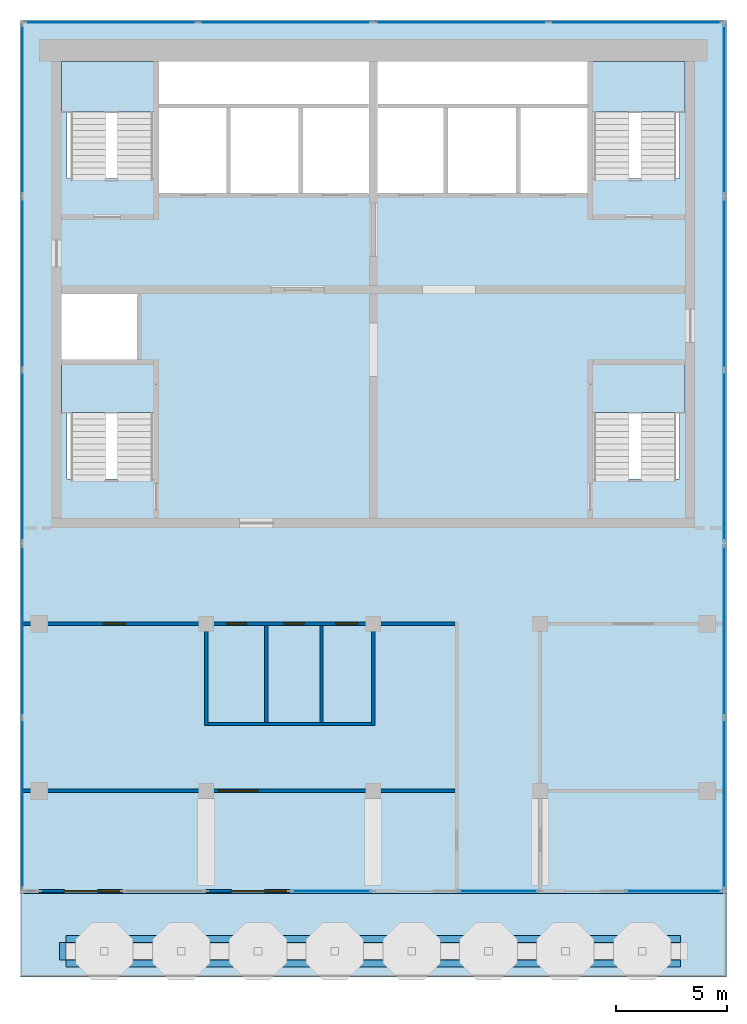
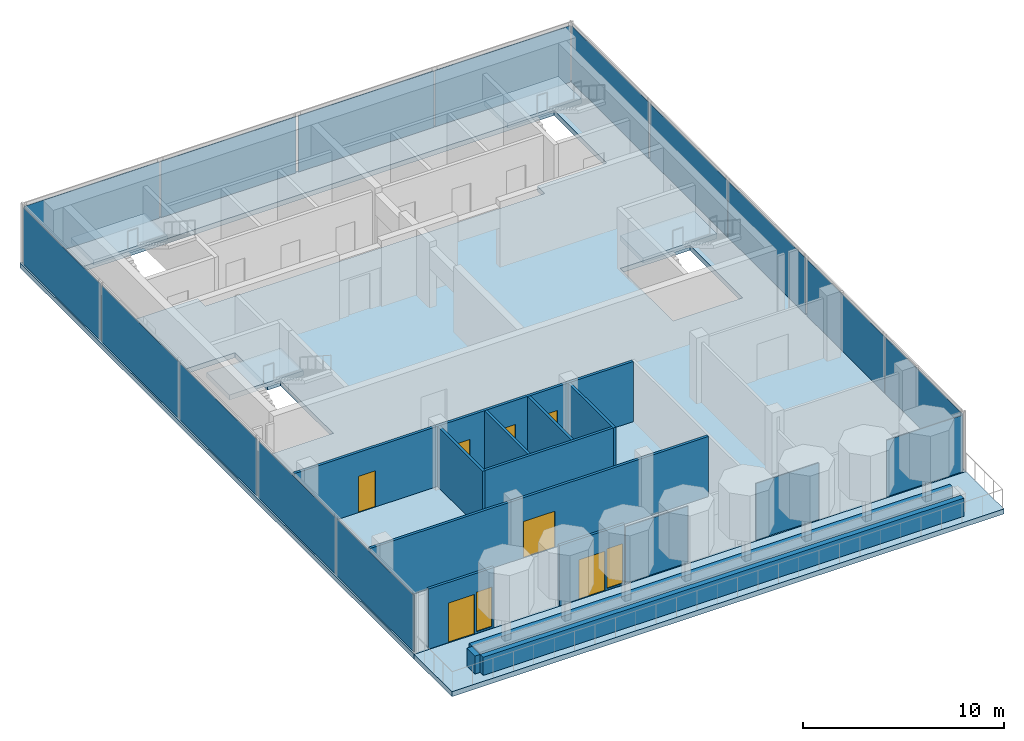
# One storey, part 2 of 6: 17 plates, 12 walls, 7 doors, 6 slabs, 2 windows, 9 openings, 15 elements without a shape of their own.
"""IFC4 building model written with IfcOpenShell, lengths in metres."""

from ifc_helpers import new_model, si_unit, direction, frame, frame_2d, origin, origin_2d, place, context, subcontext, project, spatial, polyline, rectangle, outline, extrude, material, layer, layer_set, type_object, element, fill, aggregate, save


model = new_model("IFC4")

# Units and contexts
model_context = context("Model", 3, precision=1e-05, world=origin(), true_north=direction((0.0, 1.0)))
body_context = subcontext(model_context, "Body", "Model", "MODEL_VIEW")
ifc_project = project(units=[si_unit("LENGTHUNIT", "METRE"), si_unit("AREAUNIT", "SQUARE_METRE"), si_unit("VOLUMEUNIT", "CUBIC_METRE"), si_unit("PLANEANGLEUNIT", "RADIAN"), si_unit("MASSUNIT", "GRAM", prefix="KILO")], contexts=[model_context])

# Site, building, storey
site_placement = place(None, origin())
site = spatial("IfcSite", under=ifc_project, at=site_placement, CompositionType="ELEMENT")
building_placement = place(site_placement, origin())
building = spatial("IfcBuilding", under=site, at=building_placement, Name="Pilkhan Gate Tower", CompositionType="ELEMENT")
storey_placement = place(building_placement, frame((0.0, 0.0, 283.699951171875)))
storey = spatial("IfcBuildingStorey", under=building, at=storey_placement, Name="L74", CompositionType="ELEMENT", Elevation=283.699951171875)

# Slab
ifc_material_1 = material(Name="Concrete C40/50", Category="concrete")
ifc_layer_1 = layer(ifc_material_1, 0.300048828125)
ifc_layer_set_1 = layer_set([ifc_layer_1], Name="Flat plate slab FP300")
slab_type_1 = type_object("IfcSlabType", Name="Flat plate slab FP300", PredefinedType="FLOOR", material=ifc_layer_set_1)
slab_1_placement = place(storey_placement, frame((0.0, 0.0, -0.300048828125)))
element("IfcSlab", 1, at=slab_1_placement, inside=storey, type_object=slab_type_1, Name="Floor slab L74", PredefinedType="FLOOR", context=body_context, shape_type="SweptSolid", body=[
    extrude(outline(polyline([(59.14990234375, 94.60009765625), (90.85009765625, 94.60009765625), (90.85009765625, 55.39990234375), (59.14990234375, 55.39990234375), (59.14990234375, 94.60009765625)]), holes=[polyline([(78.25, 86.75), (81.5, 86.75), (84.75, 86.75), (84.75, 87.5), (88.75, 87.5), (88.75, 92.75), (84.75, 92.75), (75.0, 92.75), (65.25, 92.75), (61.25, 92.75), (61.25, 87.5), (65.25, 87.5), (65.25, 86.75), (68.5, 86.75), (71.75, 86.75), (75.0, 86.75), (78.25, 86.75)]), polyline([(84.75, 79.25), (84.75, 74.0), (88.75, 74.0), (88.75, 79.25), (84.75, 79.25)]), polyline([(65.25, 79.25), (64.5, 79.25), (64.5, 82.5), (61.25, 82.5), (61.0, 82.5), (61.0, 79.25), (61.25, 79.25), (61.25, 74.0), (65.25, 74.0), (65.25, 79.25)])]), origin(), (0.0, 0.0, 1.0), 0.300048828125),
])

# Curtain wall, plates
ifc_material_2 = material(Name="Pale anodised aluminium, clear low-iron double glazing", Category="aluminium")
curtain_wall_type = type_object("IfcCurtainWallType", Name="Crown unitised curtain wall CW-C", PredefinedType="USERDEFINED", material=ifc_material_2)
curtain_wall_1_placement = place(storey_placement, origin())
curtain_wall_1 = element("IfcCurtainWall", 2, at=curtain_wall_1_placement, inside=storey, type_object=curtain_wall_type, Name="Crown unitised curtain wall CW-C L74 E", ObjectType="UNITISED CURTAIN WALL", PredefinedType="USERDEFINED")
ifc_material_3 = material(Name="Clear low-iron double glazing", Category="glass")
ifc_layer_2 = layer(ifc_material_3, 0.0439453125)
ifc_layer_set_2 = layer_set([ifc_layer_2], Name="Glass panel CW-C 44")
plate_type = type_object("IfcPlateType", Name="Glass panel CW-C 44", PredefinedType="CURTAIN_PANEL", material=ifc_layer_set_2)
plate_1_placement = place(storey_placement, frame((90.75, 59.418701171875, 0.0), z_axis=(0.0, 0.0, 1.0), x_axis=(0.0, 1.0, 0.0)))
plate_1 = element("IfcPlate", 3, at=plate_1_placement, type_object=plate_type, Name="CW-C panel 1", PredefinedType="CURTAIN_PANEL", context=body_context, shape_type="SweptSolid", body=[
    extrude(rectangle(XDim=7.6875, YDim=0.0439453125, at=origin_2d()), origin(), (0.0, 0.0, 1.0), 3.429931640625),
])
plate_2_placement = place(storey_placement, frame((90.75, 67.18115234375, 0.0), z_axis=(0.0, 0.0, 1.0), x_axis=(0.0, 1.0, 0.0)))
plate_2 = element("IfcPlate", 4, at=plate_2_placement, type_object=plate_type, Name="CW-C panel 2", PredefinedType="CURTAIN_PANEL", context=body_context, shape_type="SweptSolid", body=[
    extrude(rectangle(XDim=7.6875, YDim=0.0439453125, at=origin_2d()), origin(), (0.0, 0.0, 1.0), 3.429931640625),
])
aggregate(curtain_wall_1, [plate_1, plate_2])

curtain_wall_2_placement = place(storey_placement, origin())
curtain_wall_2 = element("IfcCurtainWall", 5, at=curtain_wall_2_placement, inside=storey, type_object=curtain_wall_type, Name="Crown unitised curtain wall CW-C L74 E", ObjectType="UNITISED CURTAIN WALL", PredefinedType="USERDEFINED")
plate_3_placement = place(storey_placement, frame((90.75, 75.018798828125, 0.0), z_axis=(0.0, 0.0, 1.0), x_axis=(0.0, 1.0, 0.0)))
plate_3 = element("IfcPlate", 6, at=plate_3_placement, type_object=plate_type, Name="CW-C panel 1", PredefinedType="CURTAIN_PANEL", context=body_context, shape_type="SweptSolid", body=[
    extrude(rectangle(XDim=7.6875, YDim=0.0439453125, at=origin_2d()), origin(), (0.0, 0.0, 1.0), 3.429931640625),
])
plate_4_placement = place(storey_placement, frame((90.75, 82.78125, 0.0), z_axis=(0.0, 0.0, 1.0), x_axis=(0.0, 1.0, 0.0)))
plate_4 = element("IfcPlate", 7, at=plate_4_placement, type_object=plate_type, Name="CW-C panel 2", PredefinedType="CURTAIN_PANEL", context=body_context, shape_type="SweptSolid", body=[
    extrude(rectangle(XDim=7.6875, YDim=0.0439453125, at=origin_2d()), origin(), (0.0, 0.0, 1.0), 3.429931640625),
])
aggregate(curtain_wall_2, [plate_3, plate_4])

# Curtain wall, plate
curtain_wall_3_placement = place(storey_placement, origin())
curtain_wall_3 = element("IfcCurtainWall", 8, at=curtain_wall_3_placement, inside=storey, type_object=curtain_wall_type, Name="Crown unitised curtain wall CW-C L74 E", ObjectType="UNITISED CURTAIN WALL", PredefinedType="USERDEFINED")
plate_5_placement = place(storey_placement, frame((90.75, 90.60009765625, 0.0), z_axis=(0.0, 0.0, 1.0), x_axis=(0.0, 1.0, 0.0)))
plate_5 = element("IfcPlate", 9, at=plate_5_placement, type_object=plate_type, Name="CW-C panel 1", PredefinedType="CURTAIN_PANEL", context=body_context, shape_type="SweptSolid", body=[
    extrude(rectangle(XDim=7.64990234375, YDim=0.0439453125, at=origin_2d()), origin(), (0.0, 0.0, 1.0), 3.429931640625),
])
aggregate(curtain_wall_3, [plate_5])

# Curtain wall, plates
curtain_wall_4_placement = place(storey_placement, origin())
curtain_wall_4 = element("IfcCurtainWall", 10, at=curtain_wall_4_placement, inside=storey, type_object=curtain_wall_type, Name="Crown unitised curtain wall CW-C L74 N", ObjectType="UNITISED CURTAIN WALL", PredefinedType="USERDEFINED")
plate_6_placement = place(storey_placement, frame((63.206298828125, 94.5, 0.0), z_axis=(0.0, 0.0, 1.0), x_axis=(1.0, 0.0, 0.0)))
plate_6 = element("IfcPlate", 11, at=plate_6_placement, type_object=plate_type, Name="CW-C panel 1", PredefinedType="CURTAIN_PANEL", context=body_context, shape_type="SweptSolid", body=[
    extrude(rectangle(XDim=7.762451171875, YDim=0.0439453125, at=origin_2d()), origin(), (0.0, 0.0, 1.0), 3.429931640625),
])
plate_7_placement = place(storey_placement, frame((71.043701171875, 94.5, 0.0), z_axis=(0.0, 0.0, 1.0), x_axis=(1.0, 0.0, 0.0)))
plate_7 = element("IfcPlate", 12, at=plate_7_placement, type_object=plate_type, Name="CW-C panel 2", PredefinedType="CURTAIN_PANEL", context=body_context, shape_type="SweptSolid", body=[
    extrude(rectangle(XDim=7.762451171875, YDim=0.0439453125, at=origin_2d()), origin(), (0.0, 0.0, 1.0), 3.429931640625),
])
aggregate(curtain_wall_4, [plate_6, plate_7])

curtain_wall_5_placement = place(storey_placement, origin())
curtain_wall_5 = element("IfcCurtainWall", 13, at=curtain_wall_5_placement, inside=storey, type_object=curtain_wall_type, Name="Crown unitised curtain wall CW-C L74 N", ObjectType="UNITISED CURTAIN WALL", PredefinedType="USERDEFINED")
plate_8_placement = place(storey_placement, frame((78.956298828125, 94.5, 0.0), z_axis=(0.0, 0.0, 1.0), x_axis=(1.0, 0.0, 0.0)))
plate_8 = element("IfcPlate", 14, at=plate_8_placement, type_object=plate_type, Name="CW-C panel 1", PredefinedType="CURTAIN_PANEL", context=body_context, shape_type="SweptSolid", body=[
    extrude(rectangle(XDim=7.762451171875, YDim=0.0439453125, at=origin_2d()), origin(), (0.0, 0.0, 1.0), 3.429931640625),
])
plate_9_placement = place(storey_placement, frame((86.793701171875, 94.5, 0.0), z_axis=(0.0, 0.0, 1.0), x_axis=(1.0, 0.0, 0.0)))
plate_9 = element("IfcPlate", 15, at=plate_9_placement, type_object=plate_type, Name="CW-C panel 2", PredefinedType="CURTAIN_PANEL", context=body_context, shape_type="SweptSolid", body=[
    extrude(rectangle(XDim=7.762451171875, YDim=0.0439453125, at=origin_2d()), origin(), (0.0, 0.0, 1.0), 3.429931640625),
])
aggregate(curtain_wall_5, [plate_8, plate_9])

curtain_wall_6_placement = place(storey_placement, origin())
curtain_wall_6 = element("IfcCurtainWall", 16, at=curtain_wall_6_placement, inside=storey, type_object=curtain_wall_type, Name="Crown unitised curtain wall CW-C L74 W", ObjectType="UNITISED CURTAIN WALL", PredefinedType="USERDEFINED")
plate_10_placement = place(storey_placement, frame((59.25, 59.418701171875, 0.0), z_axis=(0.0, 0.0, 1.0), x_axis=(0.0, 1.0, 0.0)))
plate_10 = element("IfcPlate", 17, at=plate_10_placement, type_object=plate_type, Name="CW-C panel 1", PredefinedType="CURTAIN_PANEL", context=body_context, shape_type="SweptSolid", body=[
    extrude(rectangle(XDim=7.6875, YDim=0.0439453125, at=origin_2d()), origin(), (0.0, 0.0, 1.0), 3.429931640625),
])
plate_11_placement = place(storey_placement, frame((59.25, 67.18115234375, 0.0), z_axis=(0.0, 0.0, 1.0), x_axis=(0.0, 1.0, 0.0)))
plate_11 = element("IfcPlate", 18, at=plate_11_placement, type_object=plate_type, Name="CW-C panel 2", PredefinedType="CURTAIN_PANEL", context=body_context, shape_type="SweptSolid", body=[
    extrude(rectangle(XDim=7.6875, YDim=0.0439453125, at=origin_2d()), origin(), (0.0, 0.0, 1.0), 3.429931640625),
])
aggregate(curtain_wall_6, [plate_10, plate_11])

curtain_wall_7_placement = place(storey_placement, origin())
curtain_wall_7 = element("IfcCurtainWall", 19, at=curtain_wall_7_placement, inside=storey, type_object=curtain_wall_type, Name="Crown unitised curtain wall CW-C L74 W", ObjectType="UNITISED CURTAIN WALL", PredefinedType="USERDEFINED")
plate_12_placement = place(storey_placement, frame((59.25, 75.018798828125, 0.0), z_axis=(0.0, 0.0, 1.0), x_axis=(0.0, 1.0, 0.0)))
plate_12 = element("IfcPlate", 20, at=plate_12_placement, type_object=plate_type, Name="CW-C panel 1", PredefinedType="CURTAIN_PANEL", context=body_context, shape_type="SweptSolid", body=[
    extrude(rectangle(XDim=7.6875, YDim=0.0439453125, at=origin_2d()), origin(), (0.0, 0.0, 1.0), 3.429931640625),
])
plate_13_placement = place(storey_placement, frame((59.25, 82.78125, 0.0), z_axis=(0.0, 0.0, 1.0), x_axis=(0.0, 1.0, 0.0)))
plate_13 = element("IfcPlate", 21, at=plate_13_placement, type_object=plate_type, Name="CW-C panel 2", PredefinedType="CURTAIN_PANEL", context=body_context, shape_type="SweptSolid", body=[
    extrude(rectangle(XDim=7.6875, YDim=0.0439453125, at=origin_2d()), origin(), (0.0, 0.0, 1.0), 3.429931640625),
])
aggregate(curtain_wall_7, [plate_12, plate_13])

# Curtain wall, plate
curtain_wall_8_placement = place(storey_placement, origin())
curtain_wall_8 = element("IfcCurtainWall", 22, at=curtain_wall_8_placement, inside=storey, type_object=curtain_wall_type, Name="Crown unitised curtain wall CW-C L74 W", ObjectType="UNITISED CURTAIN WALL", PredefinedType="USERDEFINED")
plate_14_placement = place(storey_placement, frame((59.25, 90.60009765625, 0.0), z_axis=(0.0, 0.0, 1.0), x_axis=(0.0, 1.0, 0.0)))
plate_14 = element("IfcPlate", 23, at=plate_14_placement, type_object=plate_type, Name="CW-C panel 1", PredefinedType="CURTAIN_PANEL", context=body_context, shape_type="SweptSolid", body=[
    extrude(rectangle(XDim=7.64990234375, YDim=0.0439453125, at=origin_2d()), origin(), (0.0, 0.0, 1.0), 3.429931640625),
])
aggregate(curtain_wall_8, [plate_14])

curtain_wall_9_placement = place(storey_placement, origin())
curtain_wall_9 = element("IfcCurtainWall", 24, at=curtain_wall_9_placement, inside=storey, type_object=curtain_wall_type, Name="Crown unitised curtain wall CW-C L74 S", ObjectType="UNITISED CURTAIN WALL", PredefinedType="USERDEFINED")
plate_15_placement = place(storey_placement, frame((73.125, 55.5, 0.0), z_axis=(0.0, 0.0, 1.0), x_axis=(1.0, 0.0, 0.0)))
plate_15 = element("IfcPlate", 25, at=plate_15_placement, type_object=plate_type, Name="CW-C panel 1", PredefinedType="CURTAIN_PANEL", context=body_context, shape_type="SweptSolid", body=[
    extrude(rectangle(XDim=3.60009765625, YDim=0.0439453125, at=origin_2d()), origin(), (0.0, 0.0, 1.0), 3.429931640625),
])
aggregate(curtain_wall_9, [plate_15])

curtain_wall_10_placement = place(storey_placement, origin())
curtain_wall_10 = element("IfcCurtainWall", 26, at=curtain_wall_10_placement, inside=storey, type_object=curtain_wall_type, Name="Crown unitised curtain wall CW-C L74 S", ObjectType="UNITISED CURTAIN WALL", PredefinedType="USERDEFINED")
plate_16_placement = place(storey_placement, frame((80.625, 55.5, 0.0), z_axis=(0.0, 0.0, 1.0), x_axis=(1.0, 0.0, 0.0)))
plate_16 = element("IfcPlate", 27, at=plate_16_placement, type_object=plate_type, Name="CW-C panel 1", PredefinedType="CURTAIN_PANEL", context=body_context, shape_type="SweptSolid", body=[
    extrude(rectangle(XDim=3.60009765625, YDim=0.0439453125, at=origin_2d()), origin(), (0.0, 0.0, 1.0), 3.429931640625),
])
aggregate(curtain_wall_10, [plate_16])

curtain_wall_11_placement = place(storey_placement, origin())
curtain_wall_11 = element("IfcCurtainWall", 28, at=curtain_wall_11_placement, inside=storey, type_object=curtain_wall_type, Name="Crown unitised curtain wall CW-C L74 S", ObjectType="UNITISED CURTAIN WALL", PredefinedType="USERDEFINED")
plate_17_placement = place(storey_placement, frame((88.5, 55.5, 0.0), z_axis=(0.0, 0.0, 1.0), x_axis=(1.0, 0.0, 0.0)))
plate_17 = element("IfcPlate", 29, at=plate_17_placement, type_object=plate_type, Name="CW-C panel 1", PredefinedType="CURTAIN_PANEL", context=body_context, shape_type="SweptSolid", body=[
    extrude(rectangle(XDim=4.35009765625, YDim=0.0439453125, at=origin_2d()), origin(), (0.0, 0.0, 1.0), 3.429931640625),
])
aggregate(curtain_wall_11, [plate_17])

# Stair, slab
ifc_material_4 = material(Name="Concrete C40/50 precast", Category="concrete")
stair_type_1 = type_object("IfcStairType", Name="Stair ST1 167x280", PredefinedType="HALF_TURN_STAIR", material=ifc_material_4)
stair_1_placement = place(storey_placement, origin())
stair_1 = element("IfcStair", 30, at=stair_1_placement, inside=storey, type_object=stair_type_1, Name="Stair ST1 L74", PredefinedType="HALF_TURN_STAIR")
ifc_layer_3 = layer(ifc_material_1, 0.199951171875)
ifc_layer_set_3 = layer_set([ifc_layer_3], Name="Stair landing SL200")
slab_type_2 = type_object("IfcSlabType", Name="Stair landing SL200", PredefinedType="LANDING", material=ifc_layer_set_3)
slab_2_placement = place(storey_placement, frame((0.0, 0.0, 1.699951171875)))
slab_2 = element("IfcSlab", 31, at=slab_2_placement, type_object=slab_type_2, Name="ST1 landing 1", PredefinedType="LANDING", context=body_context, shape_type="SweptSolid", body=[
    extrude(outline(polyline([(89.0, 76.97998046875), (89.0, 79.25), (84.75, 79.25), (84.75, 76.97998046875), (89.0, 76.97998046875)])), origin(), (0.0, 0.0, 1.0), 0.300048828125),
])
aggregate(stair_1, [slab_2])

stair_type_2 = type_object("IfcStairType", Name="Stair ST2 167x280", PredefinedType="HALF_TURN_STAIR", material=ifc_material_4)
stair_2_placement = place(storey_placement, origin())
stair_2 = element("IfcStair", 32, at=stair_2_placement, inside=storey, type_object=stair_type_2, Name="Stair ST2 L74", PredefinedType="HALF_TURN_STAIR")
slab_3_placement = place(storey_placement, frame((0.0, 0.0, 1.699951171875)))
slab_3 = element("IfcSlab", 33, at=slab_3_placement, type_object=slab_type_2, Name="ST2 landing 1", PredefinedType="LANDING", context=body_context, shape_type="SweptSolid", body=[
    extrude(outline(polyline([(65.25, 76.97998046875), (65.25, 79.25), (61.0, 79.25), (61.0, 76.97998046875), (65.25, 76.97998046875)])), origin(), (0.0, 0.0, 1.0), 0.300048828125),
])
aggregate(stair_2, [slab_3])

stair_type_3 = type_object("IfcStairType", Name="Stair ST3 167x280", PredefinedType="HALF_TURN_STAIR", material=ifc_material_4)
stair_3_placement = place(storey_placement, origin())
stair_3 = element("IfcStair", 34, at=stair_3_placement, inside=storey, type_object=stair_type_3, Name="Stair ST3 L74", PredefinedType="HALF_TURN_STAIR")
slab_4_placement = place(storey_placement, frame((0.0, 0.0, 1.699951171875)))
slab_4 = element("IfcSlab", 35, at=slab_4_placement, type_object=slab_type_2, Name="ST3 landing 1", PredefinedType="LANDING", context=body_context, shape_type="SweptSolid", body=[
    extrude(outline(polyline([(65.25, 90.47998046875), (65.25, 92.75), (61.0, 92.75), (61.0, 90.47998046875), (65.25, 90.47998046875)])), origin(), (0.0, 0.0, 1.0), 0.300048828125),
])
aggregate(stair_3, [slab_4])

stair_type_4 = type_object("IfcStairType", Name="Stair ST4 167x280", PredefinedType="HALF_TURN_STAIR", material=ifc_material_4)
stair_4_placement = place(storey_placement, origin())
stair_4 = element("IfcStair", 36, at=stair_4_placement, inside=storey, type_object=stair_type_4, Name="Stair ST4 L74", PredefinedType="HALF_TURN_STAIR")
slab_5_placement = place(storey_placement, frame((0.0, 0.0, 1.699951171875)))
slab_5 = element("IfcSlab", 37, at=slab_5_placement, type_object=slab_type_2, Name="ST4 landing 1", PredefinedType="LANDING", context=body_context, shape_type="SweptSolid", body=[
    extrude(outline(polyline([(89.0, 90.47998046875), (89.0, 92.75), (84.75, 92.75), (84.75, 90.47998046875), (89.0, 90.47998046875)])), origin(), (0.0, 0.0, 1.0), 0.300048828125),
])
aggregate(stair_4, [slab_5])

# Slab
ifc_material_5 = material(Name="Concrete C60/75", Category="concrete")
ifc_layer_4 = layer(ifc_material_5, 0.300048828125)
ifc_layer_set_4 = layer_set([ifc_layer_4], Name="Terrace slab TS300")
slab_type_3 = type_object("IfcSlabType", Name="Terrace slab TS300", PredefinedType="FLOOR", material=ifc_layer_set_4)
slab_6_placement = place(storey_placement, frame((0.0, 0.0, -0.300048828125)))
element("IfcSlab", 38, at=slab_6_placement, inside=storey, type_object=slab_type_3, Name="Terrace L74", PredefinedType="FLOOR", context=body_context, shape_type="SweptSolid", body=[
    extrude(outline(polyline([(59.14990234375, 55.39990234375), (90.85009765625, 55.39990234375), (90.85009765625, 51.64990234375), (59.14990234375, 51.64990234375), (59.14990234375, 55.39990234375)])), origin(), (0.0, 0.0, 1.0), 0.300048828125),
])

# Wall, openings, door, window
ifc_material_6 = material(Name="Pale anodised aluminium, clear laminated glazing", Category="aluminium")
ifc_layer_5 = layer(ifc_material_6, 0.14990234375)
ifc_layer_set_5 = layer_set([ifc_layer_5], Name="Facade infill wall IW150")
wall_type_1 = type_object("IfcWallType", Name="Facade infill wall IW150", PredefinedType="SOLIDWALL", material=ifc_layer_set_5)
wall_1_placement = place(storey_placement, frame((63.75, 55.5, 0.0), z_axis=(0.0, 0.0, 1.0), x_axis=(-1.0, 0.0, 0.0)))
wall_1 = element("IfcWall", 39, at=wall_1_placement, inside=storey, type_object=wall_type_1, Name="Infill wall L74 S", PredefinedType="SOLIDWALL", context=body_context, shape_type="SweptSolid", body=[
    extrude(rectangle(XDim=3.75, YDim=0.14990234375, at=frame_2d((1.875, 0.0))), origin(), (0.0, 0.0, 1.0), 3.650146484375),
])
opening_1_placement = place(wall_1_placement, frame((0.112548828125, 0.0, 0.10009765625)))
opening_1 = element("IfcOpeningElement", 40, at=opening_1_placement, cuts=wall_1, Name="Opening W1", PredefinedType="OPENING", context=body_context, shape_type="SweptSolid", body=[
    extrude(rectangle(XDim=0.89990234375, YDim=2.39990234375, at=frame_2d((0.449951171875, 1.199951171875))), frame((0.0, 0.0849609375, 0.0), z_axis=(0.0, -1.0, 0.0), x_axis=(1.0, 0.0, 0.0)), (0.0, 0.0, 1.0), 0.169921875),
])
opening_2_placement = place(wall_1_placement, frame((1.125, 0.0, 0.0)))
opening_2 = element("IfcOpeningElement", 41, at=opening_2_placement, cuts=wall_1, Name="Opening D5", PredefinedType="OPENING", context=body_context, shape_type="SweptSolid", body=[
    extrude(rectangle(XDim=1.5, YDim=2.39990234375, at=frame_2d((0.75, 1.199951171875))), frame((0.0, 0.0849609375, 0.0), z_axis=(0.0, -1.0, 0.0), x_axis=(1.0, 0.0, 0.0)), (0.0, 0.0, 1.0), 0.169921875),
])
ifc_material_7 = material(Name="Pale anodised aluminium, clear glazing", Category="aluminium")
door_type_1 = type_object("IfcDoorType", Name="Terrace door D5 1500x2400", OperationType="DOUBLE_DOOR_SINGLE_SWING", PredefinedType="DOOR", material=ifc_material_7)
door_1_placement = place(opening_2_placement, origin())
door_1 = element("IfcDoor", 42, at=door_1_placement, inside=storey, type_object=door_type_1, Name="Terrace door L74", OperationType="DOUBLE_DOOR_SINGLE_SWING", OverallHeight=2.39990234375, OverallWidth=1.5, PredefinedType="DOOR", context=body_context, shape_type="SweptSolid", body=[
    extrude(rectangle(XDim=1.5, YDim=2.39990234375, at=frame_2d((0.75, 1.199951171875))), frame((0.0, 0.02490234375, 0.0), z_axis=(0.0, -1.0, 0.0), x_axis=(1.0, 0.0, 0.0)), (0.0, 0.0, 1.0), 0.050048828125),
])
fill(opening_2, door_1)
ifc_material_8 = material(Name="Pale anodised aluminium, clear double glazing", Category="aluminium")
window_type = type_object("IfcWindowType", Name="Window W1 900x2400", PartitioningType="SINGLE_PANEL", PredefinedType="WINDOW", material=ifc_material_8)
window_1_placement = place(opening_1_placement, origin())
window_1 = element("IfcWindow", 43, at=window_1_placement, inside=storey, type_object=window_type, Name="Window L74", OverallHeight=2.39990234375, OverallWidth=0.89990234375, PartitioningType="SINGLE_PANEL", PredefinedType="WINDOW", context=body_context, shape_type="SweptSolid", body=[
    extrude(rectangle(XDim=0.89990234375, YDim=2.39990234375, at=frame_2d((0.449951171875, 1.199951171875))), frame((0.0, 0.030029296875, 0.0), z_axis=(0.0, -1.0, 0.0), x_axis=(1.0, 0.0, 0.0)), (0.0, 0.0, 1.0), 0.06005859375),
])
fill(opening_1, window_1)

wall_2_placement = place(storey_placement, frame((71.25, 55.5, 0.0), z_axis=(0.0, 0.0, 1.0), x_axis=(-1.0, 0.0, 0.0)))
wall_2 = element("IfcWall", 44, at=wall_2_placement, inside=storey, type_object=wall_type_1, Name="Infill wall L74 S", PredefinedType="SOLIDWALL", context=body_context, shape_type="SweptSolid", body=[
    extrude(rectangle(XDim=3.75, YDim=0.14990234375, at=frame_2d((1.875, 0.0))), origin(), (0.0, 0.0, 1.0), 3.650146484375),
])
opening_3_placement = place(wall_2_placement, frame((0.112548828125, 0.0, 0.10009765625)))
opening_3 = element("IfcOpeningElement", 45, at=opening_3_placement, cuts=wall_2, Name="Opening W1", PredefinedType="OPENING", context=body_context, shape_type="SweptSolid", body=[
    extrude(rectangle(XDim=0.89990234375, YDim=2.39990234375, at=frame_2d((0.449951171875, 1.199951171875))), frame((0.0, 0.0849609375, 0.0), z_axis=(0.0, -1.0, 0.0), x_axis=(1.0, 0.0, 0.0)), (0.0, 0.0, 1.0), 0.169921875),
])
opening_4_placement = place(wall_2_placement, frame((1.125, 0.0, 0.0)))
opening_4 = element("IfcOpeningElement", 46, at=opening_4_placement, cuts=wall_2, Name="Opening D5", PredefinedType="OPENING", context=body_context, shape_type="SweptSolid", body=[
    extrude(rectangle(XDim=1.5, YDim=2.39990234375, at=frame_2d((0.75, 1.199951171875))), frame((0.0, 0.0849609375, 0.0), z_axis=(0.0, -1.0, 0.0), x_axis=(1.0, 0.0, 0.0)), (0.0, 0.0, 1.0), 0.169921875),
])
door_2_placement = place(opening_4_placement, origin())
door_2 = element("IfcDoor", 47, at=door_2_placement, inside=storey, type_object=door_type_1, Name="Terrace door L74", OperationType="DOUBLE_DOOR_SINGLE_SWING", OverallHeight=2.39990234375, OverallWidth=1.5, PredefinedType="DOOR", context=body_context, shape_type="SweptSolid", body=[
    extrude(rectangle(XDim=1.5, YDim=2.39990234375, at=frame_2d((0.75, 1.199951171875))), frame((0.0, 0.02490234375, 0.0), z_axis=(0.0, -1.0, 0.0), x_axis=(1.0, 0.0, 0.0)), (0.0, 0.0, 1.0), 0.050048828125),
])
fill(opening_4, door_2)
window_2_placement = place(opening_3_placement, origin())
window_2 = element("IfcWindow", 48, at=window_2_placement, inside=storey, type_object=window_type, Name="Window L74", OverallHeight=2.39990234375, OverallWidth=0.89990234375, PartitioningType="SINGLE_PANEL", PredefinedType="WINDOW", context=body_context, shape_type="SweptSolid", body=[
    extrude(rectangle(XDim=0.89990234375, YDim=2.39990234375, at=frame_2d((0.449951171875, 1.199951171875))), frame((0.0, 0.030029296875, 0.0), z_axis=(0.0, -1.0, 0.0), x_axis=(1.0, 0.0, 0.0)), (0.0, 0.0, 1.0), 0.06005859375),
])
fill(opening_3, window_2)

# Wall, opening, door
ifc_material_9 = material(Name="Blockwork partition, plastered both sides", Category="masonry")
ifc_layer_6 = layer(ifc_material_9, 0.14990234375)
ifc_layer_set_6 = layer_set([ifc_layer_6], Name="Partition PW150")
wall_type_2 = type_object("IfcWallType", Name="Partition PW150", PredefinedType="PARTITIONING", material=ifc_layer_set_6)
wall_3_placement = place(storey_placement, frame((59.235107421875, 60.0, 0.0), z_axis=(0.0, 0.0, 1.0), x_axis=(1.0, 0.0, 0.0)))
wall_3 = element("IfcWall", 49, at=wall_3_placement, inside=storey, type_object=wall_type_2, Name="Partition L74", PredefinedType="PARTITIONING", context=body_context, shape_type="SweptSolid", body=[
    extrude(rectangle(XDim=19.43994140625, YDim=0.14990234375, at=frame_2d((9.719970703125, 0.0))), origin(), (0.0, 0.0, 1.0), 3.650146484375),
])
opening_5_placement = place(wall_3_placement, frame((8.800048828125, 0.0, 0.0)))
opening_5 = element("IfcOpeningElement", 50, at=opening_5_placement, cuts=wall_3, Name="Opening L74-06", PredefinedType="OPENING", context=body_context, shape_type="SweptSolid", body=[
    extrude(rectangle(XDim=1.800048828125, YDim=2.199951171875, at=frame_2d((0.89990234375, 1.10009765625))), frame((0.0, 0.0849609375, 0.0), z_axis=(0.0, -1.0, 0.0), x_axis=(1.0, 0.0, 0.0)), (0.0, 0.0, 1.0), 0.169921875),
])
ifc_material_10 = material(Name="Timber glazed double door, 30 minute fire resisting", Category="wood")
door_type_2 = type_object("IfcDoorType", Name="Double door D04 1800x2200", OperationType="DOUBLE_DOOR_SINGLE_SWING", PredefinedType="DOOR", material=ifc_material_10)
door_3_placement = place(opening_5_placement, origin())
door_3 = element("IfcDoor", 51, at=door_3_placement, inside=storey, type_object=door_type_2, Name="Kitchen pass door", OperationType="DOUBLE_DOOR_SINGLE_SWING", OverallHeight=2.199951171875, OverallWidth=1.800048828125, PredefinedType="DOOR", context=body_context, shape_type="SweptSolid", body=[
    extrude(rectangle(XDim=1.800048828125, YDim=2.199951171875, at=frame_2d((0.89990234375, 1.10009765625))), frame((0.0, 0.02490234375, 0.0), z_axis=(0.0, -1.0, 0.0), x_axis=(1.0, 0.0, 0.0)), (0.0, 0.0, 1.0), 0.050048828125),
])
fill(opening_5, door_3)

# Wall
wall_4_placement = place(storey_placement, frame((67.574951171875, 63.0, 0.0), z_axis=(0.0, 0.0, 1.0), x_axis=(1.0, 0.0, 0.0)))
element("IfcWall", 52, at=wall_4_placement, inside=storey, type_object=wall_type_2, Name="Partition L74", PredefinedType="PARTITIONING", context=body_context, shape_type="SweptSolid", body=[
    extrude(rectangle(XDim=7.35009765625, YDim=0.14990234375, at=frame_2d((3.675048828125, 0.0))), origin(), (0.0, 0.0, 1.0), 3.650146484375),
])

# Wall, openings, doors
wall_5_placement = place(storey_placement, frame((59.235107421875, 67.5, 0.0), z_axis=(0.0, 0.0, 1.0), x_axis=(1.0, 0.0, 0.0)))
wall_5 = element("IfcWall", 53, at=wall_5_placement, inside=storey, type_object=wall_type_2, Name="Partition L74", PredefinedType="PARTITIONING", context=body_context, shape_type="SweptSolid", body=[
    extrude(rectangle(XDim=19.43994140625, YDim=0.14990234375, at=frame_2d((9.719970703125, 0.0))), origin(), (0.0, 0.0, 1.0), 3.650146484375),
])
opening_6_placement = place(wall_5_placement, frame((9.1650390625, 0.0, 0.0)))
opening_6 = element("IfcOpeningElement", 54, at=opening_6_placement, cuts=wall_5, Name="Opening L74-10", PredefinedType="OPENING", context=body_context, shape_type="SweptSolid", body=[
    extrude(rectangle(XDim=0.89990234375, YDim=2.199951171875, at=frame_2d((0.449951171875, 1.10009765625))), frame((0.0, 0.0849609375, 0.0), z_axis=(0.0, -1.0, 0.0), x_axis=(1.0, 0.0, 0.0)), (0.0, 0.0, 1.0), 0.169921875),
])
opening_7_placement = place(wall_5_placement, frame((11.764892578125, 0.0, 0.0)))
opening_7 = element("IfcOpeningElement", 55, at=opening_7_placement, cuts=wall_5, Name="Opening L74-11", PredefinedType="OPENING", context=body_context, shape_type="SweptSolid", body=[
    extrude(rectangle(XDim=0.89990234375, YDim=2.199951171875, at=frame_2d((0.449951171875, 1.10009765625))), frame((0.0, 0.0849609375, 0.0), z_axis=(0.0, -1.0, 0.0), x_axis=(1.0, 0.0, 0.0)), (0.0, 0.0, 1.0), 0.169921875),
])
opening_8_placement = place(wall_5_placement, frame((14.090087890625, 0.0, 0.0)))
opening_8 = element("IfcOpeningElement", 56, at=opening_8_placement, cuts=wall_5, Name="Opening L74-12", PredefinedType="OPENING", context=body_context, shape_type="SweptSolid", body=[
    extrude(rectangle(XDim=1.0, YDim=2.199951171875, at=frame_2d((0.5, 1.10009765625))), frame((0.0, 0.0849609375, 0.0), z_axis=(0.0, -1.0, 0.0), x_axis=(1.0, 0.0, 0.0)), (0.0, 0.0, 1.0), 0.169921875),
])
opening_9_placement = place(wall_5_placement, frame((3.64990234375, 0.0, 0.0)))
opening_9 = element("IfcOpeningElement", 57, at=opening_9_placement, cuts=wall_5, Name="Opening L74-13", PredefinedType="OPENING", context=body_context, shape_type="SweptSolid", body=[
    extrude(rectangle(XDim=1.0, YDim=2.199951171875, at=frame_2d((0.5, 1.10009765625))), frame((0.0, 0.0849609375, 0.0), z_axis=(0.0, -1.0, 0.0), x_axis=(1.0, 0.0, 0.0)), (0.0, 0.0, 1.0), 0.169921875),
])
ifc_material_11 = material(Name="Timber flush door, outward opening, 30 minute fire resisting", Category="wood")
door_type_3 = type_object("IfcDoorType", Name="Accessible toilet door D07 1000x2200", OperationType="SINGLE_SWING_LEFT", PredefinedType="DOOR", material=ifc_material_11)
door_4_placement = place(opening_8_placement, origin())
door_4 = element("IfcDoor", 58, at=door_4_placement, inside=storey, type_object=door_type_3, Name="Accessible toilet door", OperationType="SINGLE_SWING_LEFT", OverallHeight=2.199951171875, OverallWidth=1.0, PredefinedType="DOOR", context=body_context, shape_type="SweptSolid", body=[
    extrude(rectangle(XDim=1.0, YDim=2.199951171875, at=frame_2d((0.5, 1.10009765625))), frame((0.0, 0.02490234375, 0.0), z_axis=(0.0, -1.0, 0.0), x_axis=(1.0, 0.0, 0.0)), (0.0, 0.0, 1.0), 0.050048828125),
])
fill(opening_8, door_4)
ifc_material_12 = material(Name="Timber flush door, 30 minute fire resisting", Category="wood")
door_type_4 = type_object("IfcDoorType", Name="Room door D03 1000x2200", OperationType="SINGLE_SWING_LEFT", PredefinedType="DOOR", material=ifc_material_12)
door_5_placement = place(opening_9_placement, origin())
door_5 = element("IfcDoor", 59, at=door_5_placement, inside=storey, type_object=door_type_4, Name="Room door", OperationType="SINGLE_SWING_LEFT", OverallHeight=2.199951171875, OverallWidth=1.0, PredefinedType="DOOR", context=body_context, shape_type="SweptSolid", body=[
    extrude(rectangle(XDim=1.0, YDim=2.199951171875, at=frame_2d((0.5, 1.10009765625))), frame((0.0, 0.02490234375, 0.0), z_axis=(0.0, -1.0, 0.0), x_axis=(1.0, 0.0, 0.0)), (0.0, 0.0, 1.0), 0.050048828125),
])
fill(opening_9, door_5)
door_type_5 = type_object("IfcDoorType", Name="Toilet door D06 900x2200", OperationType="SINGLE_SWING_LEFT", PredefinedType="DOOR", material=ifc_material_12)
door_6_placement = place(opening_6_placement, origin())
door_6 = element("IfcDoor", 60, at=door_6_placement, inside=storey, type_object=door_type_5, Name="Toilet door", OperationType="SINGLE_SWING_LEFT", OverallHeight=2.199951171875, OverallWidth=0.89990234375, PredefinedType="DOOR", context=body_context, shape_type="SweptSolid", body=[
    extrude(rectangle(XDim=0.89990234375, YDim=2.199951171875, at=frame_2d((0.449951171875, 1.10009765625))), frame((0.0, 0.02490234375, 0.0), z_axis=(0.0, -1.0, 0.0), x_axis=(1.0, 0.0, 0.0)), (0.0, 0.0, 1.0), 0.050048828125),
])
fill(opening_6, door_6)
door_7_placement = place(opening_7_placement, origin())
door_7 = element("IfcDoor", 61, at=door_7_placement, inside=storey, type_object=door_type_5, Name="Toilet door", OperationType="SINGLE_SWING_LEFT", OverallHeight=2.199951171875, OverallWidth=0.89990234375, PredefinedType="DOOR", context=body_context, shape_type="SweptSolid", body=[
    extrude(rectangle(XDim=0.89990234375, YDim=2.199951171875, at=frame_2d((0.449951171875, 1.10009765625))), frame((0.0, 0.02490234375, 0.0), z_axis=(0.0, -1.0, 0.0), x_axis=(1.0, 0.0, 0.0)), (0.0, 0.0, 1.0), 0.050048828125),
])
fill(opening_7, door_7)

# Walls
wall_6_placement = place(storey_placement, frame((67.5, 62.925048828125, 0.0), z_axis=(0.0, 0.0, 1.0), x_axis=(0.0, 1.0, 0.0)))
element("IfcWall", 62, at=wall_6_placement, inside=storey, type_object=wall_type_2, Name="Partition L74", PredefinedType="PARTITIONING", context=body_context, shape_type="SweptSolid", body=[
    extrude(rectangle(XDim=4.5, YDim=0.14990234375, at=frame_2d((2.25, 0.0))), origin(), (0.0, 0.0, 1.0), 3.650146484375),
])
for number, where, z_axis, x_axis, name in (
    (63, (70.199951171875, 63.074951171875, 0.0), (0.0, 0.0, 1.0), (0.0, 1.0, 0.0), "Partition L74"),
    (64, (72.675048828125, 63.074951171875, 0.0), (0.0, 0.0, 1.0), (0.0, 1.0, 0.0), "Partition L74"),
):
    element("IfcWall", number, at=place(storey_placement, frame(where, z_axis=z_axis, x_axis=x_axis)), inside=storey, type_object=wall_type_2, Name=name, PredefinedType="PARTITIONING", context=body_context, shape_type="SweptSolid", body=[
        extrude(rectangle(XDim=4.35009765625, YDim=0.14990234375, at=frame_2d((2.175048828125, 0.0))), origin(), (0.0, 0.0, 1.0), 3.650146484375),
    ])
wall_7_placement = place(storey_placement, frame((75.0, 62.925048828125, 0.0), z_axis=(0.0, 0.0, 1.0), x_axis=(0.0, 1.0, 0.0)))
element("IfcWall", 65, at=wall_7_placement, inside=storey, type_object=wall_type_2, Name="Partition L74", PredefinedType="PARTITIONING", context=body_context, shape_type="SweptSolid", body=[
    extrude(rectangle(XDim=4.5, YDim=0.14990234375, at=frame_2d((2.25, 0.0))), origin(), (0.0, 0.0, 1.0), 3.650146484375),
])
ifc_layer_7 = layer(ifc_material_1, 0.300048828125)
ifc_layer_set_7 = layer_set([ifc_layer_7], Name="Terrace planter TP800")
wall_type_3 = type_object("IfcWallType", Name="Terrace planter TP800", PredefinedType="USERDEFINED", material=ifc_layer_set_7)
for number, where, z_axis, x_axis, name in (
    (66, (88.800048828125, 52.25, 0.0), (0.0, 0.0, 1.0), (-1.0, 0.0, 0.0), "Terrace planter L74"),
    (67, (88.800048828125, 53.35009765625, 0.0), (0.0, 0.0, 1.0), (-1.0, 0.0, 0.0), "Terrace planter L74"),
):
    element("IfcWall", number, at=place(storey_placement, frame(where, z_axis=z_axis, x_axis=x_axis)), inside=storey, type_object=wall_type_3, Name=name, ObjectType="TERRACE PLANTER", PredefinedType="USERDEFINED", context=body_context, shape_type="SweptSolid", body=[
        extrude(rectangle(XDim=27.60009765625, YDim=0.300048828125, at=frame_2d((13.800048828125, 0.0))), origin(), (0.0, 0.0, 1.0), 1.10009765625),
    ])
wall_8_placement = place(storey_placement, frame((61.050048828125, 53.199951171875, 0.0), z_axis=(0.0, 0.0, 1.0), x_axis=(0.0, -1.0, 0.0)))
element("IfcWall", 68, at=wall_8_placement, inside=storey, type_object=wall_type_3, Name="Terrace planter L74", ObjectType="TERRACE PLANTER", PredefinedType="USERDEFINED", context=body_context, shape_type="SweptSolid", body=[
    extrude(rectangle(XDim=0.800048828125, YDim=0.300048828125, at=frame_2d((0.39990234375, 0.0))), origin(), (0.0, 0.0, 1.0), 1.10009765625),
])

save(model, "model.ifc")
